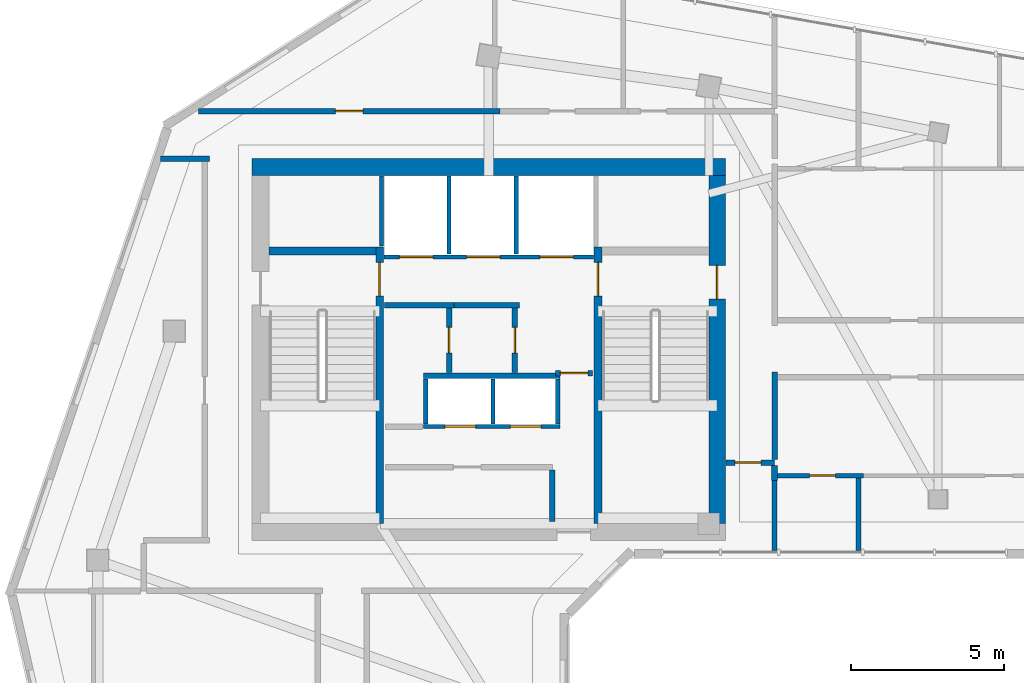
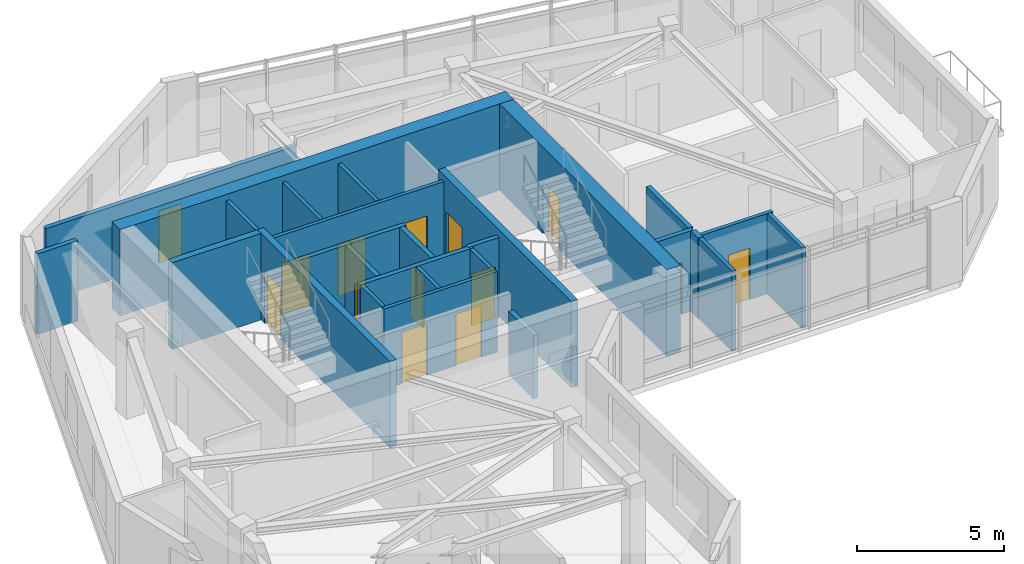
# One storey, part 5 of 10: 28 walls, 14 doors, 14 openings.
"""IFC4 building model written with IfcOpenShell, lengths in metres."""

from ifc_helpers import new_model, si_unit, direction, frame, frame_2d, origin, place, context, subcontext, project, spatial, rectangle, extrude, source, transform, mapped, material, layer, layer_set, type_object, element, fill, save


model = new_model("IFC4")

# Units and contexts
model_context = context("Model", 3, precision=1e-05, world=origin(), true_north=direction((0.0, 1.0)))
body_context = subcontext(model_context, "Body", "Model", "MODEL_VIEW")
ifc_project = project(units=[si_unit("LENGTHUNIT", "METRE"), si_unit("AREAUNIT", "SQUARE_METRE"), si_unit("VOLUMEUNIT", "CUBIC_METRE"), si_unit("PLANEANGLEUNIT", "RADIAN"), si_unit("MASSUNIT", "GRAM", prefix="KILO")], contexts=[model_context])

# Site, building, storey
site_placement = place(None, origin())
site = spatial("IfcSite", under=ifc_project, at=site_placement, CompositionType="ELEMENT")
building_placement = place(site_placement, origin())
building = spatial("IfcBuilding", under=site, at=building_placement, Name="Calvemar Wedge Station Tower", CompositionType="ELEMENT")
storey_placement = place(building_placement, frame((0.0, 0.0, 267.300048828125)))
storey = spatial("IfcBuildingStorey", under=building, at=storey_placement, Name="L68", CompositionType="ELEMENT", Elevation=267.300048828125)

# Wall, opening, door
ifc_material_1 = material(Name="Concrete C50", Category="concrete")
ifc_layer_1 = layer(ifc_material_1, 0.260009765625)
ifc_layer_set_1 = layer_set([ifc_layer_1], Name="Concrete C50")
wall_type_1 = type_object("IfcWallType", Name="SW-CORE-260", PredefinedType="SHEAR", material=ifc_layer_set_1)
wall_1_placement = place(storey_placement, frame((20.22998046875, 34.199951171875, 0.0), z_axis=(0.0, 0.0, 1.0), x_axis=(0.0, 1.0, 0.0)))
wall_1 = element("IfcWall", 1, at=wall_1_placement, inside=storey, type_object=wall_type_1, Name="Storey L68 Core Shear Wall SPINE-W", PredefinedType="SHEAR", context=body_context, shape_type="SweptSolid", body=[
    extrude(rectangle(XDim=9.06005859375, YDim=0.260009765625, at=frame_2d((4.530029296875, 0.0))), origin(), (0.0, 0.0, 1.0), 3.599853515625),
])
shared_shape_1 = source(origin(), body_context, "Body", "SweptSolid", [
    extrude(rectangle(XDim=1.10009765625, YDim=2.14990234375, at=frame_2d((0.550048828125, 1.074951171875))), frame((0.0, 0.14013671875, 0.0), z_axis=(0.0, -1.0, 0.0), x_axis=(1.0, 0.0, 0.0)), (0.0, 0.0, 1.0), 0.280029296875),
])
opening_1_placement = place(wall_1_placement, frame((7.449951171875, 0.0, 0.0)))
opening_1 = element("IfcOpeningElement", 2, at=opening_1_placement, cuts=wall_1, Name="Opening FD-90", PredefinedType="OPENING", context=body_context, shape_type="MappedRepresentation", body=[
    mapped(shared_shape_1, transform((0.0, 0.0, 0.0), scale=1.0)),
])
ifc_material_2 = material(Name="Galvanized fire-rated steel door leaf P-90", Category="steel")
door_type_1 = type_object("IfcDoorType", Name="DR-FD90-1100", OperationType="NOTDEFINED", PredefinedType="DOOR", material=ifc_material_2)
shared_shape_2 = source(origin(), body_context, "Body", "SweptSolid", [
    extrude(rectangle(XDim=1.10009765625, YDim=2.14990234375, at=frame_2d((0.550048828125, 1.074951171875))), frame((0.0, 0.02490234375, 0.0), z_axis=(0.0, -1.0, 0.0), x_axis=(1.0, 0.0, 0.0)), (0.0, 0.0, 1.0), 0.050048828125),
])
door_1_placement = place(opening_1_placement, origin())
door_1 = element("IfcDoor", 3, at=door_1_placement, inside=storey, type_object=door_type_1, Name="L68 FF Lobby to Stair ST-C1 Door", OperationType="SINGLE_SWING_LEFT", OverallHeight=2.14990234375, OverallWidth=1.10009765625, PredefinedType="DOOR", context=body_context, shape_type="MappedRepresentation", body=[
    mapped(shared_shape_2, transform((0.0, 0.0, 0.0), scale=1.0)),
])
fill(opening_1, door_1)

wall_2_placement = place(storey_placement, frame((27.3701171875, 34.199951171875, 0.0), z_axis=(0.0, 0.0, 1.0), x_axis=(0.0, 1.0, 0.0)))
wall_2 = element("IfcWall", 4, at=wall_2_placement, inside=storey, type_object=wall_type_1, Name="Storey L68 Core Shear Wall SPINE-E", PredefinedType="SHEAR", context=body_context, shape_type="SweptSolid", body=[
    extrude(rectangle(XDim=9.06005859375, YDim=0.260009765625, at=frame_2d((4.530029296875, 0.0))), origin(), (0.0, 0.0, 1.0), 3.599853515625),
])
opening_2_placement = place(wall_2_placement, frame((7.449951171875, 0.0, 0.0)))
opening_2 = element("IfcOpeningElement", 5, at=opening_2_placement, cuts=wall_2, Name="Opening FD-90", PredefinedType="OPENING", context=body_context, shape_type="MappedRepresentation", body=[
    mapped(shared_shape_1, transform((0.0, 0.0, 0.0), scale=1.0)),
])
door_2_placement = place(opening_2_placement, origin())
door_2 = element("IfcDoor", 6, at=door_2_placement, inside=storey, type_object=door_type_1, Name="L68 FF Lobby to Stair ST-C2 Door", OperationType="SINGLE_SWING_RIGHT", OverallHeight=2.14990234375, OverallWidth=1.10009765625, PredefinedType="DOOR", context=body_context, shape_type="MappedRepresentation", body=[
    mapped(shared_shape_2, transform((0.0, 0.0, 0.0), scale=1.0)),
])
fill(opening_2, door_2)

# Walls
wall_3_placement = place(storey_placement, frame((16.60009765625, 43.1298828125, 0.0), z_axis=(0.0, 0.0, 1.0), x_axis=(1.0, 0.0, 0.0)))
element("IfcWall", 7, at=wall_3_placement, inside=storey, type_object=wall_type_1, Name="Storey L68 Core Shear Wall STC1-N", PredefinedType="SHEAR", context=body_context, shape_type="SweptSolid", body=[
    extrude(rectangle(XDim=3.5, YDim=0.260009765625, at=frame_2d((1.75, 0.0))), origin(), (0.0, 0.0, 1.0), 3.599853515625),
])
ifc_material_3 = material(Name="Concrete C60", Category="concrete")
ifc_layer_2 = layer(ifc_material_3, 0.550048828125)
ifc_layer_set_2 = layer_set([ifc_layer_2], Name="Concrete C60")
wall_type_2 = type_object("IfcWallType", Name="SW-CORE-550", PredefinedType="SHEAR", material=ifc_layer_set_2)
wall_4_placement = place(storey_placement, frame((16.050048828125, 45.875, 0.0), z_axis=(0.0, 0.0, 1.0), x_axis=(1.0, 0.0, 0.0)))
element("IfcWall", 8, at=wall_4_placement, inside=storey, type_object=wall_type_2, Name="Storey L68 Core Shear Wall N", PredefinedType="SHEAR", context=body_context, shape_type="SweptSolid", body=[
    extrude(rectangle(XDim=15.5, YDim=0.550048828125, at=frame_2d((7.75, 0.0))), origin(), (0.0, 0.0, 1.0), 3.599853515625),
])

# Wall, opening, door
wall_5_placement = place(storey_placement, frame((31.27490234375, 34.199951171875, 0.0), z_axis=(0.0, 0.0, 1.0), x_axis=(0.0, 1.0, 0.0)))
wall_5 = element("IfcWall", 9, at=wall_5_placement, inside=storey, type_object=wall_type_2, Name="Storey L68 Core Shear Wall E", PredefinedType="SHEAR", context=body_context, shape_type="SweptSolid", body=[
    extrude(rectangle(XDim=11.400146484375, YDim=0.550048828125, at=frame_2d((5.7001953125, 0.0))), origin(), (0.0, 0.0, 1.0), 3.599853515625),
])
shared_shape_3 = source(origin(), body_context, "Body", "SweptSolid", [
    extrude(rectangle(XDim=1.10009765625, YDim=2.14990234375, at=frame_2d((0.550048828125, 1.074951171875))), frame((0.0, 0.28515625, 0.0), z_axis=(0.0, -1.0, 0.0), x_axis=(1.0, 0.0, 0.0)), (0.0, 0.0, 1.0), 0.570068359375),
])
opening_3_placement = place(wall_5_placement, frame((7.35009765625, 0.0, 0.0)))
opening_3 = element("IfcOpeningElement", 10, at=opening_3_placement, cuts=wall_5, Name="Opening FD-90", PredefinedType="OPENING", context=body_context, shape_type="MappedRepresentation", body=[
    mapped(shared_shape_3, transform((0.0, 0.0, 0.0), scale=1.0)),
])
door_3_placement = place(opening_3_placement, origin())
door_3 = element("IfcDoor", 11, at=door_3_placement, inside=storey, type_object=door_type_1, Name="L68 East Corridor to Exit Stair ST-C2 Door", OperationType="SINGLE_SWING_RIGHT", OverallHeight=2.14990234375, OverallWidth=1.10009765625, PredefinedType="DOOR", context=body_context, shape_type="MappedRepresentation", body=[
    mapped(shared_shape_2, transform((0.0, 0.0, 0.0), scale=1.0)),
])
fill(opening_3, door_3)

# Walls
ifc_material_4 = material(Name="Double-stud fire-rated corridor partition")
ifc_layer_3 = layer(ifc_material_4, 0.179931640625)
ifc_layer_set_3 = layer_set([ifc_layer_3], Name="Double-stud fire-rated corridor partition")
wall_type_3 = type_object("IfcWallType", Name="W-CORR-180", PredefinedType="PARTITIONING", material=ifc_layer_set_3)
wall_6_placement = place(storey_placement, frame((22.659912109375, 41.35009765625, 0.0), z_axis=(0.0, 0.0, 1.0), x_axis=(-1.0, 0.0, 0.0)))
element("IfcWall", 12, at=wall_6_placement, inside=storey, type_object=wall_type_3, Name="Storey L68 Interior Partition WL-L68-001", PredefinedType="PARTITIONING", context=body_context, shape_type="SweptSolid", body=[
    extrude(rectangle(XDim=2.280029296875, YDim=0.179931640625, at=frame_2d((1.14013671875, 0.0))), origin(), (0.0, 0.0, 1.0), 3.349853515625),
])
wall_7_placement = place(storey_placement, frame((24.81005859375, 41.35009765625, 0.0), z_axis=(0.0, 0.0, 1.0), x_axis=(-1.0, 0.0, 0.0)))
element("IfcWall", 13, at=wall_7_placement, inside=storey, type_object=wall_type_3, Name="Storey L68 Interior Partition WL-L68-002", PredefinedType="PARTITIONING", context=body_context, shape_type="SweptSolid", body=[
    extrude(rectangle(XDim=2.14794921875, YDim=0.179931640625, at=frame_2d((1.073974609375, 0.0))), origin(), (0.0, 0.0, 1.0), 3.349853515625),
])

# Wall, opening, door
wall_8_placement = place(storey_placement, frame((22.5, 41.256103515625, 0.0), z_axis=(0.0, 0.0, 1.0), x_axis=(0.0, -1.0, 0.0)))
wall_8 = element("IfcWall", 14, at=wall_8_placement, inside=storey, type_object=wall_type_3, Name="Storey L68 Interior Partition WL-L68-003", PredefinedType="PARTITIONING", context=body_context, shape_type="SweptSolid", body=[
    extrude(rectangle(XDim=2.106201171875, YDim=0.179931640625, at=frame_2d((1.05322265625, 0.0))), origin(), (0.0, 0.0, 1.0), 3.349853515625),
])
shared_shape_4 = source(origin(), body_context, "Body", "SweptSolid", [
    extrude(rectangle(XDim=0.85009765625, YDim=2.14990234375, at=frame_2d((0.425048828125, 1.074951171875))), frame((0.0, 0.10009765625, 0.0), z_axis=(0.0, -1.0, 0.0), x_axis=(1.0, 0.0, 0.0)), (0.0, 0.0, 1.0), 0.199951171875),
])
opening_4_placement = place(wall_8_placement, frame((0.6279296875, 0.0, 0.0)))
opening_4 = element("IfcOpeningElement", 15, at=opening_4_placement, cuts=wall_8, Name="Opening FD-60S", PredefinedType="OPENING", context=body_context, shape_type="MappedRepresentation", body=[
    mapped(shared_shape_4, transform((0.0, 0.0, 0.0), scale=1.0)),
])
ifc_material_5 = material(Name="Fire-rated steel and hardwood service door EI 60", Category="steel")
door_type_2 = type_object("IfcDoorType", Name="DR-CORE-FD60-850", OperationType="NOTDEFINED", PredefinedType="DOOR", material=ifc_material_5)
shared_shape_5 = source(origin(), body_context, "Body", "SweptSolid", [
    extrude(rectangle(XDim=0.85009765625, YDim=2.14990234375, at=frame_2d((0.425048828125, 1.074951171875))), frame((0.0, 0.02490234375, 0.0), z_axis=(0.0, -1.0, 0.0), x_axis=(1.0, 0.0, 0.0)), (0.0, 0.0, 1.0), 0.050048828125),
])
door_4_placement = place(opening_4_placement, origin())
door_4 = element("IfcDoor", 16, at=door_4_placement, inside=storey, type_object=door_type_2, Name="L68 IT and Telecoms Room Door", OperationType="SINGLE_SWING_RIGHT", OverallHeight=2.14990234375, OverallWidth=0.85009765625, PredefinedType="DOOR", context=body_context, shape_type="MappedRepresentation", body=[
    mapped(shared_shape_5, transform((0.0, 0.0, 0.0), scale=1.0)),
])
fill(opening_4, door_4)

wall_9_placement = place(storey_placement, frame((24.64990234375, 41.256103515625, 0.0), z_axis=(0.0, 0.0, 1.0), x_axis=(0.0, -1.0, 0.0)))
wall_9 = element("IfcWall", 17, at=wall_9_placement, inside=storey, type_object=wall_type_3, Name="Storey L68 Interior Partition WL-L68-005", PredefinedType="PARTITIONING", context=body_context, shape_type="SweptSolid", body=[
    extrude(rectangle(XDim=2.106201171875, YDim=0.179931640625, at=frame_2d((1.05322265625, 0.0))), origin(), (0.0, 0.0, 1.0), 3.349853515625),
])
opening_5_placement = place(wall_9_placement, frame((0.6279296875, 0.0, 0.0)))
opening_5 = element("IfcOpeningElement", 18, at=opening_5_placement, cuts=wall_9, Name="Opening FD-60S", PredefinedType="OPENING", context=body_context, shape_type="MappedRepresentation", body=[
    mapped(shared_shape_4, transform((0.0, 0.0, 0.0), scale=1.0)),
])
door_5_placement = place(opening_5_placement, origin())
door_5 = element("IfcDoor", 19, at=door_5_placement, inside=storey, type_object=door_type_2, Name="L68 Core Equipment Store Door", OperationType="SINGLE_SWING_LEFT", OverallHeight=2.14990234375, OverallWidth=0.85009765625, PredefinedType="DOOR", context=body_context, shape_type="MappedRepresentation", body=[
    mapped(shared_shape_5, transform((0.0, 0.0, 0.0), scale=1.0)),
])
fill(opening_5, door_5)

wall_10_placement = place(storey_placement, frame((27.199951171875, 39.1298828125, 0.0), z_axis=(0.0, 0.0, 1.0), x_axis=(-1.0, 0.0, 0.0)))
wall_10 = element("IfcWall", 20, at=wall_10_placement, inside=storey, type_object=wall_type_3, Name="Storey L68 Interior Partition WL-L68-006", PredefinedType="PARTITIONING", context=body_context, shape_type="SweptSolid", body=[
    extrude(rectangle(XDim=1.2099609375, YDim=0.179931640625, at=frame_2d((0.60498046875, 0.0))), origin(), (0.0, 0.0, 1.0), 3.349853515625),
])
shared_shape_6 = source(origin(), body_context, "Body", "SweptSolid", [
    extrude(rectangle(XDim=0.89990234375, YDim=2.14990234375, at=frame_2d((0.449951171875, 1.074951171875))), frame((0.0, 0.10009765625, 0.0), z_axis=(0.0, -1.0, 0.0), x_axis=(1.0, 0.0, 0.0)), (0.0, 0.0, 1.0), 0.199951171875),
])
opening_6_placement = place(wall_10_placement, frame((0.155029296875, 0.0, 0.0)))
opening_6 = element("IfcOpeningElement", 21, at=opening_6_placement, cuts=wall_10, Name="Opening FD-60", PredefinedType="OPENING", context=body_context, shape_type="MappedRepresentation", body=[
    mapped(shared_shape_6, transform((0.0, 0.0, 0.0), scale=1.0)),
])
ifc_material_6 = material(Name="Fire-rated acoustic timber-core entrance door EI 60", Category="wood")
door_type_3 = type_object("IfcDoorType", Name="DR-FD60-900", OperationType="NOTDEFINED", PredefinedType="DOOR", material=ifc_material_6)
shared_shape_7 = source(origin(), body_context, "Body", "SweptSolid", [
    extrude(rectangle(XDim=0.89990234375, YDim=2.14990234375, at=frame_2d((0.449951171875, 1.074951171875))), frame((0.0, 0.02490234375, 0.0), z_axis=(0.0, -1.0, 0.0), x_axis=(1.0, 0.0, 0.0)), (0.0, 0.0, 1.0), 0.050048828125),
])
door_6_placement = place(opening_6_placement, origin())
door_6 = element("IfcDoor", 22, at=door_6_placement, inside=storey, type_object=door_type_3, Name="L68 Core Service Lobby Door", OperationType="SINGLE_SWING_RIGHT", OverallHeight=2.14990234375, OverallWidth=0.89990234375, PredefinedType="DOOR", context=body_context, shape_type="MappedRepresentation", body=[
    mapped(shared_shape_7, transform((0.0, 0.0, 0.0), scale=1.0)),
])
fill(opening_6, door_6)

# Walls
wall_11_placement = place(storey_placement, frame((25.8798828125, 35.9560546875, 0.0), z_axis=(0.0, 0.0, 1.0), x_axis=(0.0, -1.0, 0.0)))
element("IfcWall", 23, at=wall_11_placement, inside=storey, type_object=wall_type_3, Name="Storey L68 Interior Partition WL-L68-008", PredefinedType="PARTITIONING", context=body_context, shape_type="SweptSolid", body=[
    extrude(rectangle(XDim=1.68603515625, YDim=0.179931640625, at=frame_2d((0.843017578125, 0.0))), origin(), (0.0, 0.0, 1.0), 2.641845703125),
])
wall_12_placement = place(storey_placement, frame((14.659912109375, 46.14990234375, 0.0), z_axis=(0.0, 0.0, 1.0), x_axis=(-1.0, 0.0, 0.0)))
element("IfcWall", 24, at=wall_12_placement, inside=storey, type_object=wall_type_3, Name="Storey L68 Interior Partition WL-L68-015", PredefinedType="PARTITIONING", context=body_context, shape_type="SweptSolid", body=[
    extrude(rectangle(XDim=1.602294921875, YDim=0.179931640625, at=frame_2d((0.80126953125, 0.0))), origin(), (0.0, 0.0, 1.0), 3.349853515625),
])

# Wall, opening, door
wall_13_placement = place(storey_placement, frame((14.29541015625, 47.699951171875, 0.0), z_axis=(0.0, 0.0, 1.0), x_axis=(1.0, 0.0, 0.0)))
wall_13 = element("IfcWall", 25, at=wall_13_placement, inside=storey, type_object=wall_type_3, Name="Storey L68 Interior Partition WL-L68-016", PredefinedType="PARTITIONING", context=body_context, shape_type="SweptSolid", body=[
    extrude(rectangle(XDim=9.864501953125, YDim=0.179931640625, at=frame_2d((4.93212890625, 0.0))), origin(), (0.0, 0.0, 1.0), 3.033935546875),
])
opening_7_placement = place(wall_13_placement, frame((4.482421875, 0.0, 0.0)))
opening_7 = element("IfcOpeningElement", 26, at=opening_7_placement, cuts=wall_13, Name="Opening D-01", PredefinedType="OPENING", context=body_context, shape_type="MappedRepresentation", body=[
    mapped(shared_shape_6, transform((0.0, 0.0, 0.0), scale=1.0)),
])
ifc_material_7 = material(Name="Architectural hardwood acoustic swing door", Category="wood")
door_type_4 = type_object("IfcDoorType", Name="DR-INT-900", OperationType="NOTDEFINED", PredefinedType="DOOR", material=ifc_material_7)
shared_shape_8 = source(origin(), body_context, "Body", "SweptSolid", [
    extrude(rectangle(XDim=0.89990234375, YDim=2.14990234375, at=frame_2d((0.449951171875, 1.074951171875))), frame((0.0, 0.02490234375, 0.0), z_axis=(0.0, -1.0, 0.0), x_axis=(1.0, 0.0, 0.0)), (0.0, 0.0, 1.0), 0.050048828125),
])
door_7_placement = place(opening_7_placement, origin())
door_7 = element("IfcDoor", 27, at=door_7_placement, inside=storey, type_object=door_type_4, Name="L68 Sky Wine Salon Door", OperationType="SINGLE_SWING_LEFT", OverallHeight=2.14990234375, OverallWidth=0.89990234375, PredefinedType="DOOR", context=body_context, shape_type="MappedRepresentation", body=[
    mapped(shared_shape_8, transform((0.0, 0.0, 0.0), scale=1.0)),
])
fill(opening_7, door_7)

wall_14_placement = place(storey_placement, frame((33.14990234375, 36.199951171875, 0.0), z_axis=(0.0, 0.0, 1.0), x_axis=(-1.0, 0.0, 0.0)))
wall_14 = element("IfcWall", 28, at=wall_14_placement, inside=storey, type_object=wall_type_3, Name="Storey L68 Interior Partition WL-L68-020", PredefinedType="PARTITIONING", context=body_context, shape_type="SweptSolid", body=[
    extrude(rectangle(XDim=1.579833984375, YDim=0.179931640625, at=frame_2d((0.7900390625, 0.0))), origin(), (0.0, 0.0, 1.0), 3.349853515625),
])
opening_8_placement = place(wall_14_placement, frame((0.449951171875, 0.0, 0.0)))
opening_8 = element("IfcOpeningElement", 29, at=opening_8_placement, cuts=wall_14, Name="Opening D-02", PredefinedType="OPENING", context=body_context, shape_type="MappedRepresentation", body=[
    mapped(shared_shape_4, transform((0.0, 0.0, 0.0), scale=1.0)),
])
ifc_material_8 = material(Name="Moisture-sealed bathroom hardwood swing door", Category="wood")
door_type_5 = type_object("IfcDoorType", Name="DR-WET-850", OperationType="NOTDEFINED", PredefinedType="DOOR", material=ifc_material_8)
shared_shape_9 = source(origin(), body_context, "Body", "SweptSolid", [
    extrude(rectangle(XDim=0.85009765625, YDim=2.14990234375, at=frame_2d((0.425048828125, 1.074951171875))), frame((0.0, 0.02490234375, 0.0), z_axis=(0.0, -1.0, 0.0), x_axis=(1.0, 0.0, 0.0)), (0.0, 0.0, 1.0), 0.050048828125),
])
door_8_placement = place(opening_8_placement, origin())
door_8 = element("IfcDoor", 30, at=door_8_placement, inside=storey, type_object=door_type_5, Name="L68 Pantry Door", OperationType="SINGLE_SWING_RIGHT", OverallHeight=2.14990234375, OverallWidth=0.85009765625, PredefinedType="DOOR", context=body_context, shape_type="MappedRepresentation", body=[
    mapped(shared_shape_9, transform((0.0, 0.0, 0.0), scale=1.0)),
])
fill(opening_8, door_8)

# Walls
wall_15_placement = place(storey_placement, frame((33.14990234375, 39.159912109375, 0.0), z_axis=(0.0, 0.0, 1.0), x_axis=(0.0, -1.0, 0.0)))
element("IfcWall", 31, at=wall_15_placement, inside=storey, type_object=wall_type_3, Name="Storey L68 Interior Partition WL-L68-022", PredefinedType="PARTITIONING", context=body_context, shape_type="SweptSolid", body=[
    extrude(rectangle(XDim=2.865966796875, YDim=0.179931640625, at=frame_2d((1.43310546875, 0.0))), origin(), (0.0, 0.0, 1.0), 3.349853515625),
])
ifc_material_9 = material(Name="Twin-stud fire-rated inter-tenancy wall")
ifc_layer_4 = layer(ifc_material_9, 0.199951171875)
ifc_layer_set_4 = layer_set([ifc_layer_4], Name="Twin-stud fire-rated inter-tenancy wall")
wall_type_4 = type_object("IfcWallType", Name="W-DEMISE-200", PredefinedType="PARTITIONING", material=ifc_layer_set_4)
wall_16_placement = place(storey_placement, frame((33.14990234375, 36.10595703125, 0.0), z_axis=(0.0, 0.0, 1.0), x_axis=(0.0, -1.0, 0.0)))
element("IfcWall", 32, at=wall_16_placement, inside=storey, type_object=wall_type_4, Name="Storey L68 Interior Partition WL-L68-030", PredefinedType="PARTITIONING", context=body_context, shape_type="SweptSolid", body=[
    extrude(rectangle(XDim=0.494873046875, YDim=0.199951171875, at=frame_2d((0.24755859375, 0.0))), origin(), (0.0, 0.0, 1.0), 3.349853515625),
])

# Wall, openings, doors
ifc_material_10 = material(Name="Reinforced concrete blockwork lift shaft wall", Category="masonry")
ifc_layer_5 = layer(ifc_material_10, 0.139892578125)
ifc_layer_set_5 = layer_set([ifc_layer_5], Name="Reinforced concrete blockwork lift shaft wall")
wall_type_5 = type_object("IfcWallType", Name="W-LIFT-160", PredefinedType="SOLIDWALL", material=ifc_layer_set_5)
wall_17_placement = place(storey_placement, frame((20.3701171875, 42.929931640625, 0.0), z_axis=(0.0, 0.0, 1.0), x_axis=(1.0, 0.0, 0.0)))
wall_17 = element("IfcWall", 33, at=wall_17_placement, inside=storey, type_object=wall_type_5, Name="Storey L68 Firefighting and Service Lift Shaft Front Wall", PredefinedType="SOLIDWALL", context=body_context, shape_type="SweptSolid", body=[
    extrude(rectangle(XDim=6.85986328125, YDim=0.139892578125, at=frame_2d((3.429931640625, 0.0))), origin(), (0.0, 0.0, 1.0), 3.349853515625),
])
shared_shape_10 = source(origin(), body_context, "Body", "SweptSolid", [
    extrude(rectangle(XDim=1.10009765625, YDim=2.14990234375, at=frame_2d((0.550048828125, 1.074951171875))), frame((0.0, 0.080078125, 0.0), z_axis=(0.0, -1.0, 0.0), x_axis=(1.0, 0.0, 0.0)), (0.0, 0.0, 1.0), 0.159912109375),
])
opening_9_placement = place(wall_17_placement, frame((0.5, 0.0, 0.0)))
opening_9 = element("IfcOpeningElement", 34, at=opening_9_placement, cuts=wall_17, Name="Opening LD-FF", PredefinedType="OPENING", context=body_context, shape_type="MappedRepresentation", body=[
    mapped(shared_shape_10, transform((0.0, 0.0, 0.0), scale=1.0)),
])
opening_10_placement = place(wall_17_placement, frame((2.699951171875, 0.0, 0.0)))
opening_10 = element("IfcOpeningElement", 35, at=opening_10_placement, cuts=wall_17, Name="Opening LD-FF", PredefinedType="OPENING", context=body_context, shape_type="MappedRepresentation", body=[
    mapped(shared_shape_10, transform((0.0, 0.0, 0.0), scale=1.0)),
])
opening_11_placement = place(wall_17_placement, frame((5.10009765625, 0.0, 0.0)))
opening_11 = element("IfcOpeningElement", 36, at=opening_11_placement, cuts=wall_17, Name="Opening LD-STN", PredefinedType="OPENING", context=body_context, shape_type="MappedRepresentation", body=[
    mapped(shared_shape_10, transform((0.0, 0.0, 0.0), scale=1.0)),
])
ifc_material_11 = material(Name="Stainless steel firefighting lift sliding landing door", Category="steel")
door_type_6 = type_object("IfcDoorType", Name="DR-LD-FF-1100", OperationType="SLIDING_TO_LEFT", PredefinedType="DOOR", material=ifc_material_11)
shared_shape_11 = source(origin(), body_context, "Body", "SweptSolid", [
    extrude(rectangle(XDim=1.10009765625, YDim=2.14990234375, at=frame_2d((0.550048828125, 1.074951171875))), frame((0.0, 0.02490234375, 0.0), z_axis=(0.0, -1.0, 0.0), x_axis=(1.0, 0.0, 0.0)), (0.0, 0.0, 1.0), 0.050048828125),
])
door_9_placement = place(opening_9_placement, origin())
door_9 = element("IfcDoor", 37, at=door_9_placement, inside=storey, type_object=door_type_6, Name="L68 Lift FF-01 Sliding Landing Door", OperationType="SLIDING_TO_LEFT", OverallHeight=2.14990234375, OverallWidth=1.10009765625, PredefinedType="DOOR", context=body_context, shape_type="MappedRepresentation", body=[
    mapped(shared_shape_11, transform((0.0, 0.0, 0.0), scale=1.0)),
])
fill(opening_9, door_9)
door_10_placement = place(opening_10_placement, origin())
door_10 = element("IfcDoor", 38, at=door_10_placement, inside=storey, type_object=door_type_6, Name="L68 Lift FF-02 Sliding Landing Door", OperationType="SLIDING_TO_RIGHT", OverallHeight=2.14990234375, OverallWidth=1.10009765625, PredefinedType="DOOR", context=body_context, shape_type="MappedRepresentation", body=[
    mapped(shared_shape_11, transform((0.0, 0.0, 0.0), scale=1.0)),
])
fill(opening_10, door_10)
ifc_material_12 = material(Name="Stainless steel transit lift sliding landing door", Category="steel")
door_type_7 = type_object("IfcDoorType", Name="DR-LD-PAX-1100", OperationType="SLIDING_TO_LEFT", PredefinedType="DOOR", material=ifc_material_12)
shared_shape_12 = source(origin(), body_context, "Body", "SweptSolid", [
    extrude(rectangle(XDim=1.10009765625, YDim=2.14990234375, at=frame_2d((0.550048828125, 1.074951171875))), frame((0.0, 0.02490234375, 0.0), z_axis=(0.0, -1.0, 0.0), x_axis=(1.0, 0.0, 0.0)), (0.0, 0.0, 1.0), 0.050048828125),
])
door_11_placement = place(opening_11_placement, origin())
door_11 = element("IfcDoor", 39, at=door_11_placement, inside=storey, type_object=door_type_7, Name="L68 Lift SV-01 Sliding Landing Door", OperationType="SLIDING_TO_LEFT", OverallHeight=2.14990234375, OverallWidth=1.10009765625, PredefinedType="DOOR", context=body_context, shape_type="MappedRepresentation", body=[
    mapped(shared_shape_12, transform((0.0, 0.0, 0.0), scale=1.0)),
])
fill(opening_11, door_11)

# Walls
wall_18_placement = place(storey_placement, frame((20.2900390625, 43.280029296875, 0.0), z_axis=(0.0, 0.0, 1.0), x_axis=(0.0, 1.0, 0.0)))
element("IfcWall", 40, at=wall_18_placement, inside=storey, type_object=wall_type_5, Name="Storey L68 Firefighting Lift Shaft Enclosure Wall W", PredefinedType="SOLIDWALL", context=body_context, shape_type="SweptSolid", body=[
    extrude(rectangle(XDim=2.300048828125, YDim=0.139892578125, at=frame_2d((1.14990234375, 0.0))), origin(), (0.0, 0.0, 1.0), 3.349853515625),
])
for number, where, z_axis, x_axis, name in (
    (41, (22.5, 43.02001953125, 0.0), (0.0, 0.0, 1.0), (0.0, 1.0, 0.0), "Storey L68 Firefighting Lift Shaft Enclosure Wall D1"),
    (42, (24.699951171875, 43.02001953125, 0.0), (0.0, 0.0, 1.0), (0.0, 1.0, 0.0), "Storey L68 Firefighting Lift Shaft Enclosure Wall D2"),
):
    element("IfcWall", number, at=place(storey_placement, frame(where, z_axis=z_axis, x_axis=x_axis)), inside=storey, type_object=wall_type_5, Name=name, PredefinedType="SOLIDWALL", context=body_context, shape_type="SweptSolid", body=[
        extrude(rectangle(XDim=2.56005859375, YDim=0.139892578125, at=frame_2d((1.280029296875, 0.0))), origin(), (0.0, 0.0, 1.0), 3.349853515625),
    ])

# Wall, openings, doors
wall_19_placement = place(storey_placement, frame((21.669921875, 37.3798828125, 0.0), z_axis=(0.0, 0.0, 1.0), x_axis=(1.0, 0.0, 0.0)))
wall_19 = element("IfcWall", 43, at=wall_19_placement, inside=storey, type_object=wall_type_5, Name="Storey L68 Upper Passenger Lift Bank Front Wall", PredefinedType="SOLIDWALL", context=body_context, shape_type="SweptSolid", body=[
    extrude(rectangle(XDim=4.4599609375, YDim=0.139892578125, at=frame_2d((2.22998046875, 0.0))), origin(), (0.0, 0.0, 1.0), 3.349853515625),
])
shared_shape_13 = source(origin(), body_context, "Body", "SweptSolid", [
    extrude(rectangle(XDim=1.0, YDim=2.14990234375, at=frame_2d((0.5, 1.074951171875))), frame((0.0, 0.080078125, 0.0), z_axis=(0.0, -1.0, 0.0), x_axis=(1.0, 0.0, 0.0)), (0.0, 0.0, 1.0), 0.159912109375),
])
opening_12_placement = place(wall_19_placement, frame((0.695068359375, 0.0, 0.0)))
opening_12 = element("IfcOpeningElement", 44, at=opening_12_placement, cuts=wall_19, Name="Opening LD-PAX", PredefinedType="OPENING", context=body_context, shape_type="MappedRepresentation", body=[
    mapped(shared_shape_13, transform((0.0, 0.0, 0.0), scale=1.0)),
])
opening_13_placement = place(wall_19_placement, frame((2.8349609375, 0.0, 0.0)))
opening_13 = element("IfcOpeningElement", 45, at=opening_13_placement, cuts=wall_19, Name="Opening LD-PAX", PredefinedType="OPENING", context=body_context, shape_type="MappedRepresentation", body=[
    mapped(shared_shape_13, transform((0.0, 0.0, 0.0), scale=1.0)),
])
ifc_material_13 = material(Name="Anodised bronze passenger lift sliding landing door")
door_type_8 = type_object("IfcDoorType", Name="DR-LD-PAX-1000", OperationType="SLIDING_TO_LEFT", PredefinedType="DOOR", material=ifc_material_13)
shared_shape_14 = source(origin(), body_context, "Body", "SweptSolid", [
    extrude(rectangle(XDim=1.0, YDim=2.14990234375, at=frame_2d((0.5, 1.074951171875))), frame((0.0, 0.02490234375, 0.0), z_axis=(0.0, -1.0, 0.0), x_axis=(1.0, 0.0, 0.0)), (0.0, 0.0, 1.0), 0.050048828125),
])
door_12_placement = place(opening_12_placement, origin())
door_12 = element("IfcDoor", 46, at=door_12_placement, inside=storey, type_object=door_type_8, Name="L68 Lift RH-02 Sliding Landing Door", OperationType="SLIDING_TO_RIGHT", OverallHeight=2.14990234375, OverallWidth=1.0, PredefinedType="DOOR", context=body_context, shape_type="MappedRepresentation", body=[
    mapped(shared_shape_14, transform((0.0, 0.0, 0.0), scale=1.0)),
])
fill(opening_12, door_12)
door_13_placement = place(opening_13_placement, origin())
door_13 = element("IfcDoor", 47, at=door_13_placement, inside=storey, type_object=door_type_8, Name="L68 Lift RH-03 Sliding Landing Door", OperationType="SLIDING_TO_LEFT", OverallHeight=2.14990234375, OverallWidth=1.0, PredefinedType="DOOR", context=body_context, shape_type="MappedRepresentation", body=[
    mapped(shared_shape_14, transform((0.0, 0.0, 0.0), scale=1.0)),
])
fill(opening_13, door_13)

# Walls
for number, where, z_axis, x_axis, name in (
    (48, (26.06005859375, 37.4599609375, 0.0), (0.0, 0.0, 1.0), (0.0, 1.0, 0.0), "Storey L68 Upper Passenger Lift Shaft Wall E"),
    (49, (21.739990234375, 37.4599609375, 0.0), (0.0, 0.0, 1.0), (0.0, 1.0, 0.0), "Storey L68 Upper Passenger Lift Shaft Wall W"),
    (50, (23.93505859375, 37.4599609375, 0.0), (0.0, 0.0, 1.0), (0.0, 1.0, 0.0), "Storey L68 Upper Passenger Lift Shaft Wall D1"),
):
    element("IfcWall", number, at=place(storey_placement, frame(where, z_axis=z_axis, x_axis=x_axis)), inside=storey, type_object=wall_type_5, Name=name, PredefinedType="SOLIDWALL", context=body_context, shape_type="SweptSolid", body=[
        extrude(rectangle(XDim=1.47998046875, YDim=0.139892578125, at=frame_2d((0.739990234375, 0.0))), origin(), (0.0, 0.0, 1.0), 3.349853515625),
    ])
ifc_material_14 = material(Name="Concrete blockwork and fireboard shaft wall", Category="masonry")
ifc_layer_6 = layer(ifc_material_14, 0.199951171875)
ifc_layer_set_6 = layer_set([ifc_layer_6], Name="Concrete blockwork and fireboard shaft wall")
wall_type_6 = type_object("IfcWallType", Name="W-SHAFT-200", PredefinedType="SOLIDWALL", material=ifc_layer_set_6)
wall_20_placement = place(storey_placement, frame((21.669921875, 39.0400390625, 0.0), z_axis=(0.0, 0.0, 1.0), x_axis=(1.0, 0.0, 0.0)))
element("IfcWall", 51, at=wall_20_placement, inside=storey, type_object=wall_type_6, Name="Storey L68 Upper Passenger Lift Bank Rear Shaft Wall", PredefinedType="SOLIDWALL", context=body_context, shape_type="SweptSolid", body=[
    extrude(rectangle(XDim=4.4599609375, YDim=0.179931640625, at=frame_2d((2.22998046875, 0.0))), origin(), (0.0, 0.0, 1.0), 3.349853515625),
])
ifc_material_15 = material(Name="Moisture-resistant acoustic bathroom partition")
ifc_layer_7 = layer(ifc_material_15, 0.14990234375)
ifc_layer_set_7 = layer_set([ifc_layer_7], Name="Moisture-resistant acoustic bathroom partition")
wall_type_7 = type_object("IfcWallType", Name="W-WET-150", PredefinedType="PARTITIONING", material=ifc_layer_set_7)
wall_21_placement = place(storey_placement, frame((33.14990234375, 35.60888671875, 0.0), z_axis=(0.0, 0.0, 1.0), x_axis=(0.0, -1.0, 0.0)))
element("IfcWall", 52, at=wall_21_placement, inside=storey, type_object=wall_type_7, Name="Storey L68 Interior Partition WL-L68-031", PredefinedType="PARTITIONING", context=body_context, shape_type="SweptSolid", body=[
    extrude(rectangle(XDim=2.287841796875, YDim=0.14990234375, at=frame_2d((1.14404296875, 0.0))), origin(), (0.0, 0.0, 1.0), 3.349853515625),
])

# Wall, opening, door
wall_22_placement = place(storey_placement, frame((36.06005859375, 35.77099609375, 0.0), z_axis=(0.0, 0.0, 1.0), x_axis=(-1.0, 0.0, 0.0)))
wall_22 = element("IfcWall", 53, at=wall_22_placement, inside=storey, type_object=wall_type_7, Name="Storey L68 Interior Partition WL-L68-040", PredefinedType="PARTITIONING", context=body_context, shape_type="SweptSolid", body=[
    extrude(rectangle(XDim=2.80615234375, YDim=0.14990234375, at=frame_2d((1.403076171875, 0.0))), origin(), (0.0, 0.0, 1.0), 3.349853515625),
])
shared_shape_15 = source(origin(), body_context, "Body", "SweptSolid", [
    extrude(rectangle(XDim=0.85009765625, YDim=2.14990234375, at=frame_2d((0.425048828125, 1.074951171875))), frame((0.0, 0.0849609375, 0.0), z_axis=(0.0, -1.0, 0.0), x_axis=(1.0, 0.0, 0.0)), (0.0, 0.0, 1.0), 0.169921875),
])
opening_14_placement = place(wall_22_placement, frame((0.91455078125, 0.0, 0.0)))
opening_14 = element("IfcOpeningElement", 54, at=opening_14_placement, cuts=wall_22, Name="Opening D-02", PredefinedType="OPENING", context=body_context, shape_type="MappedRepresentation", body=[
    mapped(shared_shape_15, transform((0.0, 0.0, 0.0), scale=1.0)),
])
door_14_placement = place(opening_14_placement, origin())
door_14 = element("IfcDoor", 55, at=door_14_placement, inside=storey, type_object=door_type_5, Name="L68 Bathroom Door", OperationType="SINGLE_SWING_RIGHT", OverallHeight=2.14990234375, OverallWidth=0.85009765625, PredefinedType="DOOR", context=body_context, shape_type="MappedRepresentation", body=[
    mapped(shared_shape_9, transform((0.0, 0.0, 0.0), scale=1.0)),
])
fill(opening_14, door_14)

# Wall
wall_23_placement = place(storey_placement, frame((35.89990234375, 35.69189453125, 0.0), z_axis=(0.0, 0.0, 1.0), x_axis=(0.0, -1.0, 0.0)))
element("IfcWall", 56, at=wall_23_placement, inside=storey, type_object=wall_type_7, Name="Storey L68 Interior Partition WL-L68-043", PredefinedType="PARTITIONING", context=body_context, shape_type="SweptSolid", body=[
    extrude(rectangle(XDim=2.370849609375, YDim=0.14990234375, at=frame_2d((1.185546875, 0.0))), origin(), (0.0, 0.0, 1.0), 3.349853515625),
])

save(model, "model.ifc")
